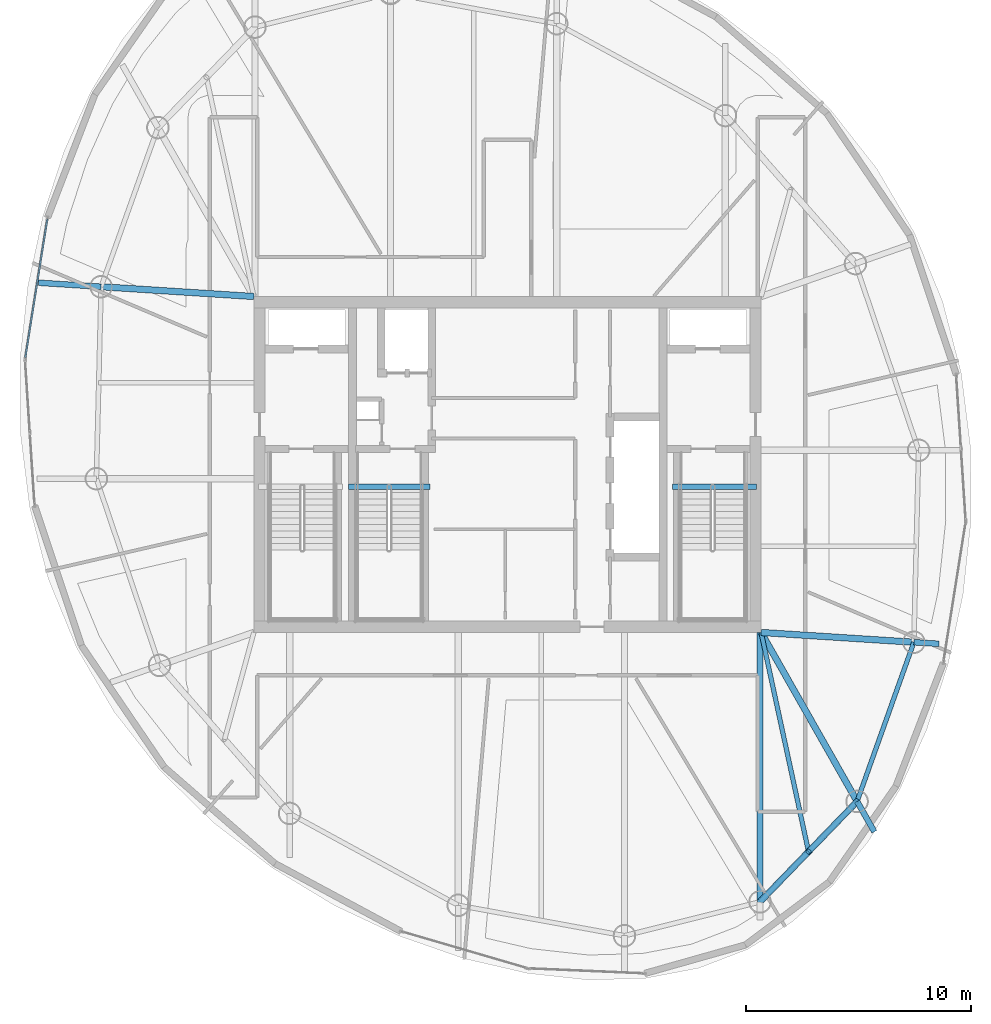
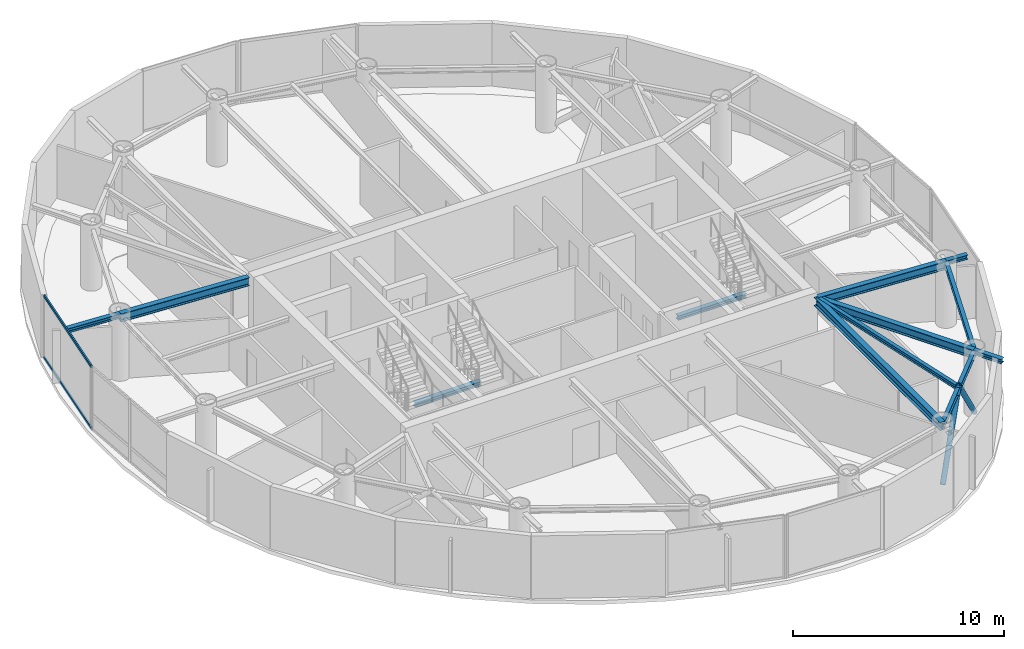
# One storey, part 5 of 18: 12 beams, 4 members, 1 element without a shape of its own.
"""IFC4 building model written with IfcOpenShell, lengths in metres."""

from ifc_helpers import new_model, si_unit, direction, frame, origin, origin_2d, place, context, subcontext, project, spatial, hollow_rectangle, hollow_circle, i_section, extrude, material, layer, layer_set, material_profile, profile_set, type_object, element, aggregate, save


model = new_model("IFC4")

# Units and contexts
model_context = context("Model", 3, precision=1e-05, world=origin(), true_north=direction((0.0, 1.0)))
body_context = subcontext(model_context, "Body", "Model", "MODEL_VIEW")
ifc_project = project(units=[si_unit("LENGTHUNIT", "METRE"), si_unit("AREAUNIT", "SQUARE_METRE"), si_unit("VOLUMEUNIT", "CUBIC_METRE"), si_unit("PLANEANGLEUNIT", "RADIAN"), si_unit("MASSUNIT", "GRAM", prefix="KILO")], contexts=[model_context])

# Site, building, storey
site_placement = place(None, origin())
site = spatial("IfcSite", under=ifc_project, at=site_placement, CompositionType="ELEMENT")
building_placement = place(site_placement, origin())
building = spatial("IfcBuilding", under=site, at=building_placement, Name="Bramvorn Convention Spire", CompositionType="ELEMENT")
storey_placement = place(building_placement, frame((0.0, 0.0, 288.25)))
storey = spatial("IfcBuildingStorey", under=building, at=storey_placement, Name="L73", CompositionType="ELEMENT", Elevation=288.25)

# Beams
ifc_material_1 = material(Name="Steel CSA G40.21 Grade 350 (350W)", Category="steel")
ifc_material_profile_1 = material_profile(ifc_material_1, i_section(OverallWidth=0.201904296875, OverallDepth=0.2470703125, WebThickness=0.00732421875, FlangeThickness=0.010986328125, FilletRadius=0.011962890625, at=origin_2d()))
ifc_profile_set_1 = profile_set([ifc_material_profile_1], Name="Steel CSA G40.21 Grade 350 (350W) - W250X49")
beam_type_1 = type_object("IfcBeamType", Name="BM-W250X49", PredefinedType="JOIST", material=ifc_profile_set_1)
beam_1_placement = place(storey_placement, frame((49.25, 18.550048828125, 3.50146484375), z_axis=(0.211461445939, -0.977386339623, 0.0), x_axis=(0.977386339623, 0.211461445939, 0.0)))
element("IfcBeam", 1, at=beam_1_placement, inside=storey, type_object=beam_type_1, Name="L73 composite floor joist 01", PredefinedType="JOIST", context=body_context, shape_type="SweptSolid", body=[
    extrude(i_section(OverallWidth=0.201904296875, OverallDepth=0.2470703125, WebThickness=0.00732421875, FlangeThickness=0.010986328125, FilletRadius=0.011962890625, at=origin_2d()), origin(), (0.0, 0.0, 1.0), 9.9462890625),
])
ifc_material_profile_2 = material_profile(ifc_material_1, i_section(OverallWidth=0.25390625, OverallDepth=0.2529296875, WebThickness=0.008544921875, FlangeThickness=0.01416015625, FilletRadius=0.011962890625, at=origin_2d()))
ifc_profile_set_2 = profile_set([ifc_material_profile_2], Name="Steel CSA G40.21 Grade 350 (350W) - W250X73")
beam_type_2 = type_object("IfcBeamType", Name="BM-W250X73", PredefinedType="BEAM", material=ifc_profile_set_2)
beam_2_placement = place(storey_placement, frame((53.50634765625, 11.05615234375, 3.49853515625), z_axis=(0.493908997342, -0.869513601012, 0.0), x_axis=(0.869513601012, 0.493908997342, 0.0)))
element("IfcBeam", 2, at=beam_2_placement, inside=storey, type_object=beam_type_2, Name="L73 slab-edge cantilever tip beam MC02", PredefinedType="BEAM", context=body_context, shape_type="SweptSolid", body=[
    extrude(i_section(OverallWidth=0.25390625, OverallDepth=0.2529296875, WebThickness=0.008544921875, FlangeThickness=0.01416015625, FilletRadius=0.011962890625, at=origin_2d()), origin(), (0.0, 0.0, 1.0), 1.545654296875),
])
beam_3_placement = place(storey_placement, frame((56.023681640625, 18.116455078125, 3.49853515625), z_axis=(0.9979610651, -0.063825641746, 0.0), x_axis=(0.063825641746, 0.9979610651, 0.0)))
element("IfcBeam", 3, at=beam_3_placement, inside=storey, type_object=beam_type_2, Name="L73 slab-edge cantilever tip beam MC03", PredefinedType="BEAM", context=body_context, shape_type="SweptSolid", body=[
    extrude(i_section(OverallWidth=0.25390625, OverallDepth=0.2529296875, WebThickness=0.008544921875, FlangeThickness=0.01416015625, FilletRadius=0.011962890625, at=origin_2d()), origin(), (0.0, 0.0, 1.0), 1.113037109375),
])
beam_4_placement = place(storey_placement, frame((19.976318359375, 33.883544921875, 3.49853515625), z_axis=(-0.997959343295, 0.063852557736, 0.0), x_axis=(-0.063852557736, -0.997959343295, 0.0)))
element("IfcBeam", 4, at=beam_4_placement, inside=storey, type_object=beam_type_2, Name="L73 slab-edge cantilever tip beam MC11", PredefinedType="BEAM", context=body_context, shape_type="SweptSolid", body=[
    extrude(i_section(OverallWidth=0.25390625, OverallDepth=0.2529296875, WebThickness=0.008544921875, FlangeThickness=0.01416015625, FilletRadius=0.011962890625, at=origin_2d()), origin(), (0.0, 0.0, 1.0), 2.783447265625),
])
beam_5_placement = place(storey_placement, frame((45.31005859375, 25.010009765625, -0.12646484375), z_axis=(1.0, 0.0, 0.0), x_axis=(0.0, 1.0, 0.0)))
element("IfcBeam", 5, at=beam_5_placement, inside=storey, type_object=beam_type_2, Name="L73 ST2 stair arrival header beam", PredefinedType="BEAM", context=body_context, shape_type="SweptSolid", body=[
    extrude(i_section(OverallWidth=0.25390625, OverallDepth=0.2529296875, WebThickness=0.008544921875, FlangeThickness=0.01416015625, FilletRadius=0.011962890625, at=origin_2d()), origin(), (0.0, 0.0, 1.0), 3.739990234375),
])
beam_6_placement = place(storey_placement, frame((30.949951171875, 25.010009765625, -0.12646484375), z_axis=(1.0, 0.0, 0.0), x_axis=(0.0, 1.0, 0.0)))
element("IfcBeam", 6, at=beam_6_placement, inside=storey, type_object=beam_type_2, Name="L73 ST3 stair arrival header beam", PredefinedType="BEAM", context=body_context, shape_type="SweptSolid", body=[
    extrude(i_section(OverallWidth=0.25390625, OverallDepth=0.2529296875, WebThickness=0.008544921875, FlangeThickness=0.01416015625, FilletRadius=0.011962890625, at=origin_2d()), origin(), (0.0, 0.0, 1.0), 3.610107421875),
])
ifc_material_profile_3 = material_profile(ifc_material_1, i_section(OverallWidth=0.202880859375, OverallDepth=0.302978515625, WebThickness=0.007568359375, FlangeThickness=0.01318359375, FilletRadius=0.013916015625, at=origin_2d()))
ifc_profile_set_3 = profile_set([ifc_material_profile_3], Name="Steel CSA G40.21 Grade 350 (350W) - W310X60")
beam_type_3 = type_object("IfcBeamType", Name="BM-W310X60", PredefinedType="JOIST", material=ifc_profile_set_3)
beam_7_placement = place(storey_placement, frame((49.199951171875, 6.60107421875, 3.473388671875), z_axis=(0.695007159797, 0.719002814898, 0.0), x_axis=(-0.719002814898, 0.695007159797, 0.0)))
element("IfcBeam", 7, at=beam_7_placement, inside=storey, type_object=beam_type_3, Name="L73 mega-column ring beam 01", PredefinedType="JOIST", context=body_context, shape_type="SweptSolid", body=[
    extrude(i_section(OverallWidth=0.202880859375, OverallDepth=0.302978515625, WebThickness=0.007568359375, FlangeThickness=0.01318359375, FilletRadius=0.013916015625, at=origin_2d()), origin(), (0.0, 0.0, 1.0), 6.1962890625),
])
beam_8_placement = place(storey_placement, frame((53.50634765625, 11.05615234375, 3.473388671875), z_axis=(0.335839090413, 0.941919373063, 0.0), x_axis=(-0.941919373063, 0.335839090413, 0.0)))
element("IfcBeam", 8, at=beam_8_placement, inside=storey, type_object=beam_type_3, Name="L73 mega-column ring beam 02", PredefinedType="JOIST", context=body_context, shape_type="SweptSolid", body=[
    extrude(i_section(OverallWidth=0.202880859375, OverallDepth=0.302978515625, WebThickness=0.007568359375, FlangeThickness=0.01318359375, FilletRadius=0.013916015625, at=origin_2d()), origin(), (0.0, 0.0, 1.0), 7.49560546875),
])
ifc_material_profile_4 = material_profile(ifc_material_1, i_section(OverallWidth=0.283935546875, OverallDepth=0.47607421875, WebThickness=0.014892578125, FlangeThickness=0.02392578125, FilletRadius=0.01806640625, at=origin_2d()))
ifc_profile_set_4 = profile_set([ifc_material_profile_4], Name="Steel CSA G40.21 Grade 350 (350W) - W460X158")
beam_type_4 = type_object("IfcBeamType", Name="BM-W460X158", PredefinedType="SPANDREL", material=ifc_profile_set_4)
beam_9_placement = place(storey_placement, frame((49.199951171875, 18.550048828125, 3.386962890625), z_axis=(0.0, -1.0, 0.0), x_axis=(1.0, 0.0, 0.0)))
element("IfcBeam", 9, at=beam_9_placement, inside=storey, type_object=beam_type_4, Name="L73 radial floor girder MC01", PredefinedType="SPANDREL", context=body_context, shape_type="SweptSolid", body=[
    extrude(i_section(OverallWidth=0.283935546875, OverallDepth=0.47607421875, WebThickness=0.014892578125, FlangeThickness=0.02392578125, FilletRadius=0.01806640625, at=origin_2d()), origin(), (0.0, 0.0, 1.0), 11.948974609375),
])
beam_10_placement = place(storey_placement, frame((49.25, 18.550048828125, 3.386962890625), z_axis=(0.493873612118, -0.869533699895, 0.0), x_axis=(0.869533699895, 0.493873612118, 0.0)))
element("IfcBeam", 10, at=beam_10_placement, inside=storey, type_object=beam_type_4, Name="L73 radial floor girder MC02", PredefinedType="SPANDREL", context=body_context, shape_type="SweptSolid", body=[
    extrude(i_section(OverallWidth=0.283935546875, OverallDepth=0.47607421875, WebThickness=0.014892578125, FlangeThickness=0.02392578125, FilletRadius=0.01806640625, at=origin_2d()), origin(), (0.0, 0.0, 1.0), 8.618408203125),
])
for number, where, z_axis, x_axis, name in (
    (11, (49.25, 18.550048828125, 3.386962890625), (0.997957536354, -0.063880792379, 0.0), (0.063880792379, 0.997957536354, 0.0), "L73 radial floor girder MC03"),
    (12, (26.75, 33.449951171875, 3.386962890625), (-0.997957536354, 0.063880792379, 0.0), (-0.063880792379, -0.997957536354, 0.0), "L73 radial floor girder MC11"),
):
    element("IfcBeam", number, at=place(storey_placement, frame(where, z_axis=z_axis, x_axis=x_axis)), inside=storey, type_object=beam_type_4, Name=name, PredefinedType="SPANDREL", context=body_context, shape_type="SweptSolid", body=[
        extrude(i_section(OverallWidth=0.283935546875, OverallDepth=0.47607421875, WebThickness=0.014892578125, FlangeThickness=0.02392578125, FilletRadius=0.01806640625, at=origin_2d()), origin(), (0.0, 0.0, 1.0), 6.78759765625),
    ])

# Curtain wall, members
ifc_material_2 = material(Name="Anodised Bronze Unitised Curtain Wall", Category="aluminium")
ifc_layer = layer(ifc_material_2, 0.179931640625)
ifc_layer_set = layer_set([ifc_layer], Name="Anodised Bronze Unitised Curtain Wall - CW-OFF-FRIT")
curtain_wall_type = type_object("IfcCurtainWallType", Name="CW-OFF-FRIT", PredefinedType="USERDEFINED", material=ifc_layer_set)
curtain_wall_placement = place(storey_placement, origin())
curtain_wall = element("IfcCurtainWall", 13, at=curtain_wall_placement, inside=storey, type_object=curtain_wall_type, Name="L73 fritted glass curtain wall 16", ObjectType="UNITISED CURTAIN WALL", PredefinedType="USERDEFINED")
ifc_material_3 = material(Name="Anodised Bronze Aluminium 6063-T6", Category="aluminium")
ifc_material_profile_5 = material_profile(ifc_material_3, hollow_rectangle(XDim=0.080078125, YDim=0.159912109375, WallThickness=0.00390625, InnerFilletRadius=0.0009765625, OuterFilletRadius=0.00390625, at=origin_2d()))
ifc_profile_set_5 = profile_set([ifc_material_profile_5], Name="Anodised Bronze Aluminium 6063-T6 - CWT80X160")
member_type_1 = type_object("IfcMemberType", Name="CW-TRN-150", PredefinedType="USERDEFINED", material=ifc_profile_set_5)
member_1_placement = place(storey_placement, frame((16.614501953125, 30.7392578125, 0.030029296875), z_axis=(0.156947271888, 0.987606983494, 0.0), x_axis=(-0.987606983494, 0.156947271888, 0.0)))
member_1 = element("IfcMember", 14, at=member_1_placement, type_object=member_type_1, Name="CW3 transom 1.1", ObjectType="TRANSOM", PredefinedType="USERDEFINED", context=body_context, shape_type="SweptSolid", body=[
    extrude(hollow_rectangle(XDim=0.080078125, YDim=0.159912109375, WallThickness=0.00390625, InnerFilletRadius=0.0009765625, OuterFilletRadius=0.00390625, at=origin_2d()), origin(), (0.0, 0.0, 1.0), 6.225341796875),
])
member_2_placement = place(storey_placement, frame((16.614501953125, 30.7392578125, 3.594970703125), z_axis=(0.156947271888, 0.987606983494, 0.0), x_axis=(-0.987606983494, 0.156947271888, 0.0)))
member_2 = element("IfcMember", 15, at=member_2_placement, type_object=member_type_1, Name="CW3 transom 1.2", ObjectType="TRANSOM", PredefinedType="USERDEFINED", context=body_context, shape_type="SweptSolid", body=[
    extrude(hollow_rectangle(XDim=0.080078125, YDim=0.159912109375, WallThickness=0.00390625, InnerFilletRadius=0.0009765625, OuterFilletRadius=0.00390625, at=origin_2d()), origin(), (0.0, 0.0, 1.0), 6.225341796875),
])
aggregate(curtain_wall, [member_1, member_2])

# Members
ifc_material_profile_6 = material_profile(ifc_material_1, hollow_circle(Radius=0.136474609375, WallThickness=0.0126953125, at=origin_2d()))
ifc_profile_set_6 = profile_set([ifc_material_profile_6], Name="Steel CSA G40.21 Grade 350 (350W) - CHS273X13")
member_type_2 = type_object("IfcMemberType", Name="MBR-CHS273X13", PredefinedType="BRACE", material=ifc_profile_set_6)
for number, where, z_axis, x_axis, name in (
    (16, (49.199951171875, 6.60107421875, 0.0), (0.451564377753, 0.467128501431, 0.760184566993), (-0.718983125626, 0.695027528279, 0.0), "L73 perimeter Gothic lancet brace 1A"),
    (17, (53.50634765625, 11.05615234375, 0.0), (-0.451523618323, -0.46713930078, 0.760202141383), (0.719022504671, -0.694986789642, 0.0), "L73 perimeter Gothic lancet brace 1B"),
):
    element("IfcMember", number, at=place(storey_placement, frame(where, z_axis=z_axis, x_axis=x_axis)), inside=storey, type_object=member_type_2, Name=name, PredefinedType="BRACE", context=body_context, shape_type="SweptSolid", body=[
        extrude(hollow_circle(Radius=0.136474609375, WallThickness=0.0126953125, at=origin_2d()), origin(), (0.0, 0.0, 1.0), 4.7685546875),
    ])

save(model, "model.ifc")
